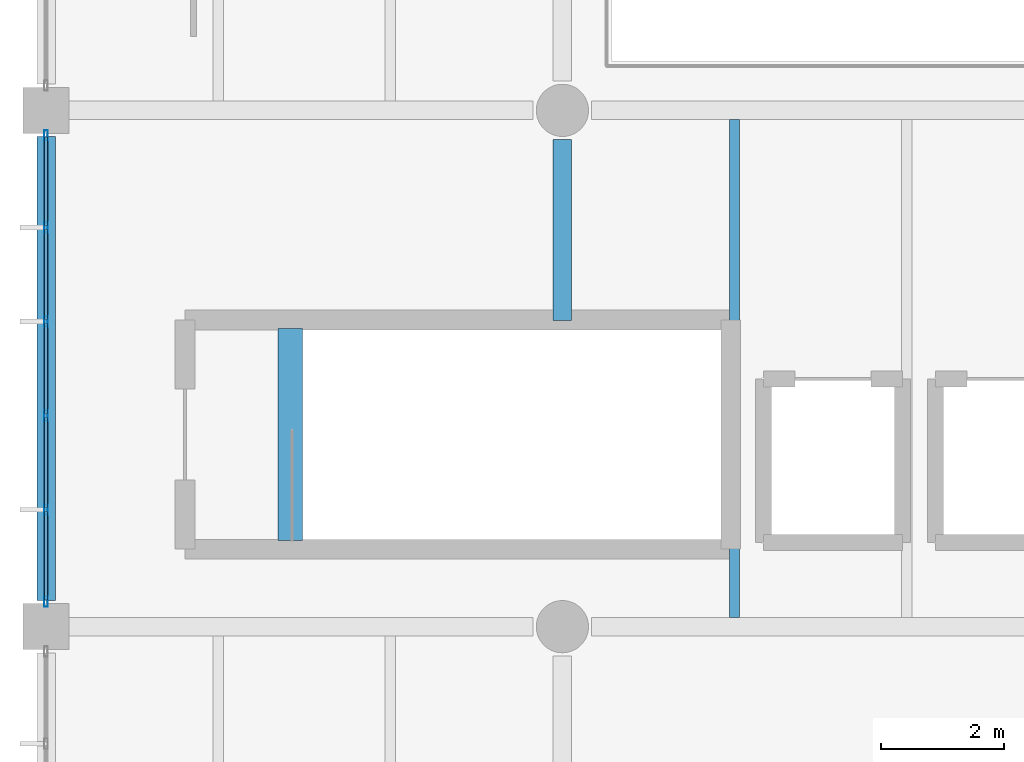
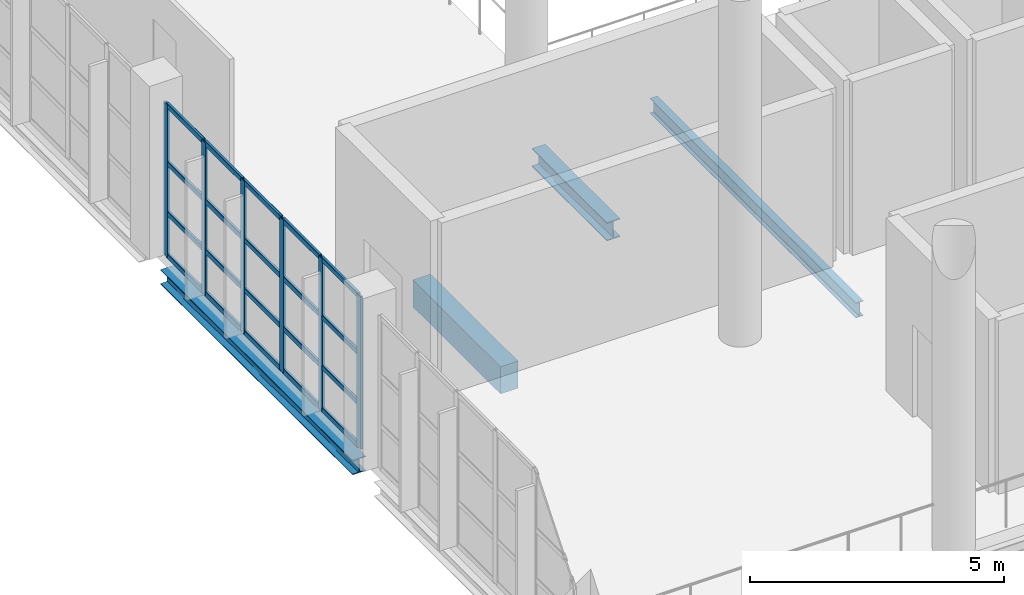
# One storey, part 29 of 177: 26 members, 4 beams, 1 element without a shape of its own.
"""IFC4 building model written with IfcOpenShell, lengths in metres."""

from ifc_helpers import new_model, si_unit, direction, frame, origin, origin_2d, place, context, subcontext, project, spatial, rectangle, hollow_rectangle, i_section, extrude, material, layer, layer_set, material_profile, profile_set, type_object, element, aggregate, save


model = new_model("IFC4")

# Units and contexts
model_context = context("Model", 3, precision=1e-05, world=origin(), true_north=direction((0.0, 1.0)))
body_context = subcontext(model_context, "Body", "Model", "MODEL_VIEW")
ifc_project = project(units=[si_unit("LENGTHUNIT", "METRE"), si_unit("AREAUNIT", "SQUARE_METRE"), si_unit("VOLUMEUNIT", "CUBIC_METRE"), si_unit("PLANEANGLEUNIT", "RADIAN"), si_unit("MASSUNIT", "GRAM", prefix="KILO"), si_unit("THERMODYNAMICTEMPERATUREUNIT", "KELVIN"), si_unit("POWERUNIT", "WATT")], contexts=[model_context])

# Site, building, storey
site_placement = place(None, origin())
site = spatial("IfcSite", under=ifc_project, at=site_placement, CompositionType="ELEMENT")
building_placement = place(site_placement, origin())
building = spatial("IfcBuilding", under=site, at=building_placement, Name="Mavoryth Pier Ferry Terminal", CompositionType="ELEMENT")
storey_placement = place(building_placement, frame((0.0, 0.0, 5.43994140625)))
storey = spatial("IfcBuildingStorey", under=building, at=storey_placement, Name="L01", CompositionType="ELEMENT", Elevation=5.43994140625)

# Beams
ifc_material_1 = material(Name="Steel S355J2", Category="steel")
ifc_material_profile_1 = material_profile(ifc_material_1, i_section(OverallWidth=0.300048828125, OverallDepth=0.43994140625, WebThickness=0.011474609375, FlangeThickness=0.02099609375, FilletRadius=0.027099609375, at=origin_2d()), Name="HEA 450", Category="steel")
ifc_profile_set_1 = profile_set([ifc_material_profile_1], Name="Steel S355J2 - HEA 450")
beam_type_1 = type_object("IfcBeamType", Name="Beam-Steel-HEA450", PredefinedType="BEAM", material=ifc_profile_set_1)
beam_1_placement = place(storey_placement, frame((8.39990234375, 60.580078125, -0.5), z_axis=(0.0, 1.0, 0.0), x_axis=(-1.0, 0.0, 0.0)))
element("IfcBeam", 1, at=beam_1_placement, inside=storey, type_object=beam_type_1, Name="Beam B01-SB03-0086", PredefinedType="BEAM", context=body_context, shape_type="SweptSolid", body=[
    extrude(i_section(OverallWidth=0.300048828125, OverallDepth=0.43994140625, WebThickness=0.011474609375, FlangeThickness=0.02099609375, FilletRadius=0.027099609375, at=origin_2d()), origin(), (0.0, 0.0, 1.0), 2.94482421875),
])
ifc_material_2 = material(Name="Concrete C35/45", Category="concrete")
ifc_material_profile_2 = material_profile(ifc_material_2, rectangle(XDim=0.39990234375, YDim=0.64990234375, at=origin_2d()), Name="RC 400x650", Category="concrete")
ifc_profile_set_2 = profile_set([ifc_material_profile_2], Name="Concrete C35/45 - RC 400x650")
beam_type_2 = type_object("IfcBeamType", Name="Girder-RC-400x650", PredefinedType="BEAM", material=ifc_profile_set_2)
beam_2_placement = place(storey_placement, frame((3.969970703125, 57.0, -0.324951171875), z_axis=(0.0, 1.0, 0.0), x_axis=(-1.0, 0.0, 0.0)))
element("IfcBeam", 2, at=beam_2_placement, inside=storey, type_object=beam_type_2, Name="Beam B01-BG05-1566", PredefinedType="BEAM", context=body_context, shape_type="SweptSolid", body=[
    extrude(rectangle(XDim=0.39990234375, YDim=0.64990234375, at=origin_2d()), origin(), (0.0, 0.0, 1.0), 3.449951171875),
])
ifc_material_profile_3 = material_profile(ifc_material_1, i_section(OverallWidth=0.169921875, OverallDepth=0.360107421875, WebThickness=0.008056640625, FlangeThickness=0.0126953125, FilletRadius=0.01806640625, at=origin_2d()), Name="IPE 360", Category="steel")
ifc_profile_set_3 = profile_set([ifc_material_profile_3], Name="Steel S355J2 - IPE 360")
beam_type_3 = type_object("IfcBeamType", Name="Joist-Steel-IPE360", PredefinedType="JOIST", material=ifc_profile_set_3)
beam_3_placement = place(storey_placement, frame((11.199951171875, 55.75, -0.4599609375), z_axis=(0.0, 1.0, 0.0), x_axis=(-1.0, 0.0, 0.0)))
element("IfcBeam", 3, at=beam_3_placement, inside=storey, type_object=beam_type_3, Name="Beam B01-SJ02-0121", PredefinedType="JOIST", context=body_context, shape_type="SweptSolid", body=[
    extrude(i_section(OverallWidth=0.169921875, OverallDepth=0.360107421875, WebThickness=0.008056640625, FlangeThickness=0.0126953125, FilletRadius=0.01806640625, at=origin_2d()), origin(), (0.0, 0.0, 1.0), 8.10009765625),
])

# Curtain wall, members
ifc_material_3 = material(Name="Anodised Aluminium and Solar-Control Low-E Glass", Category="aluminium")
ifc_layer = layer(ifc_material_3, 0.179931640625, Name="Anodised Aluminium and Solar-Control Low-E Glass", Category="aluminium")
ifc_layer_set = layer_set([ifc_layer], Name="Anodised Aluminium and Solar-Control Low-E Glass - CW-Concourse-Mod1400")
curtain_wall_type = type_object("IfcCurtainWallType", Name="CW-Concourse-Mod1400", PredefinedType="USERDEFINED", material=ifc_layer_set)
curtain_wall_placement = place(storey_placement, origin())
curtain_wall = element("IfcCurtainWall", 4, at=curtain_wall_placement, inside=storey, type_object=curtain_wall_type, Name="Curtain Wall CW-0122-011", ObjectType="UNITISED CURTAIN WALL", PredefinedType="USERDEFINED")
ifc_material_4 = material(Name="Anodised Aluminium EN AW-6063", Category="aluminium")
ifc_material_profile_4 = material_profile(ifc_material_4, hollow_rectangle(XDim=0.06005859375, YDim=0.1650390625, WallThickness=0.00390625, InnerFilletRadius=0.00390625, OuterFilletRadius=0.008056640625, at=origin_2d()), Name="AL-MULL 165x60x4", Category="aluminium")
ifc_profile_set_4 = profile_set([ifc_material_profile_4], Name="Anodised Aluminium EN AW-6063 - AL-MULL 165x60x4")
member_type_1 = type_object("IfcMemberType", Name="Mullion-Alum-165x60", PredefinedType="MULLION", material=ifc_profile_set_4)
member_1_placement = place(storey_placement, frame((0.0, 63.594970703125, 0.0), z_axis=(0.0, 0.0, 1.0), x_axis=(1.0, 0.0, 0.0)))
member_1 = element("IfcMember", 5, at=member_1_placement, type_object=member_type_1, Name="CW01 mullion 1", PredefinedType="MULLION", context=body_context, shape_type="SweptSolid", body=[
    extrude(hollow_rectangle(XDim=0.06005859375, YDim=0.1650390625, WallThickness=0.00390625, InnerFilletRadius=0.00390625, OuterFilletRadius=0.008056640625, at=origin_2d()), origin(), (0.0, 0.0, 1.0), 3.66015625),
])
member_2_placement = place(storey_placement, frame((0.0, 62.094970703125, 0.0), z_axis=(0.0, 0.0, 1.0), x_axis=(1.0, 0.0, 0.0)))
member_2 = element("IfcMember", 6, at=member_2_placement, type_object=member_type_1, Name="CW01 mullion 2", PredefinedType="MULLION", context=body_context, shape_type="SweptSolid", body=[
    extrude(hollow_rectangle(XDim=0.06005859375, YDim=0.1650390625, WallThickness=0.00390625, InnerFilletRadius=0.00390625, OuterFilletRadius=0.008056640625, at=origin_2d()), origin(), (0.0, 0.0, 1.0), 3.66015625),
])
member_3_placement = place(storey_placement, frame((0.0, 60.56494140625, 0.0), z_axis=(0.0, 0.0, 1.0), x_axis=(1.0, 0.0, 0.0)))
member_3 = element("IfcMember", 7, at=member_3_placement, type_object=member_type_1, Name="CW01 mullion 3", PredefinedType="MULLION", context=body_context, shape_type="SweptSolid", body=[
    extrude(hollow_rectangle(XDim=0.06005859375, YDim=0.1650390625, WallThickness=0.00390625, InnerFilletRadius=0.00390625, OuterFilletRadius=0.008056640625, at=origin_2d()), origin(), (0.0, 0.0, 1.0), 3.66015625),
])
member_4_placement = place(storey_placement, frame((0.0, 59.034912109375, 0.0), z_axis=(0.0, 0.0, 1.0), x_axis=(1.0, 0.0, 0.0)))
member_4 = element("IfcMember", 8, at=member_4_placement, type_object=member_type_1, Name="CW01 mullion 4", PredefinedType="MULLION", context=body_context, shape_type="SweptSolid", body=[
    extrude(hollow_rectangle(XDim=0.06005859375, YDim=0.1650390625, WallThickness=0.00390625, InnerFilletRadius=0.00390625, OuterFilletRadius=0.008056640625, at=origin_2d()), origin(), (0.0, 0.0, 1.0), 3.66015625),
])
member_5_placement = place(storey_placement, frame((0.0, 57.5048828125, 0.0), z_axis=(0.0, 0.0, 1.0), x_axis=(1.0, 0.0, 0.0)))
member_5 = element("IfcMember", 9, at=member_5_placement, type_object=member_type_1, Name="CW01 mullion 5", PredefinedType="MULLION", context=body_context, shape_type="SweptSolid", body=[
    extrude(hollow_rectangle(XDim=0.06005859375, YDim=0.1650390625, WallThickness=0.00390625, InnerFilletRadius=0.00390625, OuterFilletRadius=0.008056640625, at=origin_2d()), origin(), (0.0, 0.0, 1.0), 3.66015625),
])
member_6_placement = place(storey_placement, frame((0.0, 56.0048828125, 0.0), z_axis=(0.0, 0.0, 1.0), x_axis=(1.0, 0.0, 0.0)))
member_6 = element("IfcMember", 10, at=member_6_placement, type_object=member_type_1, Name="CW01 mullion 6", PredefinedType="MULLION", context=body_context, shape_type="SweptSolid", body=[
    extrude(hollow_rectangle(XDim=0.06005859375, YDim=0.1650390625, WallThickness=0.00390625, InnerFilletRadius=0.00390625, OuterFilletRadius=0.008056640625, at=origin_2d()), origin(), (0.0, 0.0, 1.0), 3.66015625),
])

# Beam
ifc_material_profile_5 = material_profile(ifc_material_1, i_section(OverallWidth=0.300048828125, OverallDepth=0.35009765625, WebThickness=0.010009765625, FlangeThickness=0.017578125, FilletRadius=0.027099609375, at=origin_2d()), Name="HEA 360", Category="steel")
ifc_profile_set_5 = profile_set([ifc_material_profile_5], Name="Steel S355J2 - HEA 360")
beam_type_4 = type_object("IfcBeamType", Name="Spandrel-Steel-HEA360", PredefinedType="SPANDREL", material=ifc_profile_set_5)
beam_4_placement = place(storey_placement, frame((0.0, 56.02490234375, -0.454833984375), z_axis=(0.0, 1.0, 0.0), x_axis=(-1.0, 0.0, 0.0)))
element("IfcBeam", 11, at=beam_4_placement, inside=storey, type_object=beam_type_4, Name="Beam B01-SP03-0079", PredefinedType="SPANDREL", context=body_context, shape_type="SweptSolid", body=[
    extrude(i_section(OverallWidth=0.300048828125, OverallDepth=0.35009765625, WebThickness=0.010009765625, FlangeThickness=0.017578125, FilletRadius=0.027099609375, at=origin_2d()), origin(), (0.0, 0.0, 1.0), 7.550048828125),
])

# Member
ifc_material_profile_6 = material_profile(ifc_material_4, hollow_rectangle(XDim=0.06005859375, YDim=0.125, WallThickness=0.00390625, InnerFilletRadius=0.00390625, OuterFilletRadius=0.008056640625, at=origin_2d()), Name="AL-TRAN 125x60x4", Category="aluminium")
ifc_profile_set_6 = profile_set([ifc_material_profile_6], Name="Anodised Aluminium EN AW-6063 - AL-TRAN 125x60x4")
member_type_2 = type_object("IfcMemberType", Name="Transom-Alum-125x60", PredefinedType="USERDEFINED", material=ifc_profile_set_6)
member_7_placement = place(storey_placement, frame((0.0, 63.56494140625, 0.030029296875), z_axis=(0.0, -1.0, 0.0), x_axis=(1.0, 0.0, 0.0)))
member_7 = element("IfcMember", 12, at=member_7_placement, type_object=member_type_2, Name="CW01 transom 1.1", ObjectType="TRANSOM", PredefinedType="USERDEFINED", context=body_context, shape_type="SweptSolid", body=[
    extrude(hollow_rectangle(XDim=0.06005859375, YDim=0.125, WallThickness=0.00390625, InnerFilletRadius=0.00390625, OuterFilletRadius=0.008056640625, at=origin_2d()), origin(), (0.0, 0.0, 1.0), 1.43994140625),
])

member_8_placement = place(storey_placement, frame((0.0, 63.56494140625, 1.050048828125), z_axis=(0.0, -1.0, 0.0), x_axis=(1.0, 0.0, 0.0)))
member_8 = element("IfcMember", 13, at=member_8_placement, type_object=member_type_2, Name="CW01 transom 1.2", ObjectType="TRANSOM", PredefinedType="USERDEFINED", context=body_context, shape_type="SweptSolid", body=[
    extrude(hollow_rectangle(XDim=0.06005859375, YDim=0.125, WallThickness=0.00390625, InnerFilletRadius=0.00390625, OuterFilletRadius=0.008056640625, at=origin_2d()), origin(), (0.0, 0.0, 1.0), 1.43994140625),
])

member_9_placement = place(storey_placement, frame((0.0, 63.56494140625, 2.25), z_axis=(0.0, -1.0, 0.0), x_axis=(1.0, 0.0, 0.0)))
member_9 = element("IfcMember", 14, at=member_9_placement, type_object=member_type_2, Name="CW01 transom 1.3", ObjectType="TRANSOM", PredefinedType="USERDEFINED", context=body_context, shape_type="SweptSolid", body=[
    extrude(hollow_rectangle(XDim=0.06005859375, YDim=0.125, WallThickness=0.00390625, InnerFilletRadius=0.00390625, OuterFilletRadius=0.008056640625, at=origin_2d()), origin(), (0.0, 0.0, 1.0), 1.43994140625),
])

member_10_placement = place(storey_placement, frame((0.0, 63.56494140625, 3.630126953125), z_axis=(0.0, -1.0, 0.0), x_axis=(1.0, 0.0, 0.0)))
member_10 = element("IfcMember", 15, at=member_10_placement, type_object=member_type_2, Name="CW01 transom 1.4", ObjectType="TRANSOM", PredefinedType="USERDEFINED", context=body_context, shape_type="SweptSolid", body=[
    extrude(hollow_rectangle(XDim=0.06005859375, YDim=0.125, WallThickness=0.00390625, InnerFilletRadius=0.00390625, OuterFilletRadius=0.008056640625, at=origin_2d()), origin(), (0.0, 0.0, 1.0), 1.43994140625),
])

member_11_placement = place(storey_placement, frame((0.0, 62.06494140625, 0.030029296875), z_axis=(0.0, -1.0, 0.0), x_axis=(1.0, 0.0, 0.0)))
member_11 = element("IfcMember", 16, at=member_11_placement, type_object=member_type_2, Name="CW01 transom 2.1", ObjectType="TRANSOM", PredefinedType="USERDEFINED", context=body_context, shape_type="SweptSolid", body=[
    extrude(hollow_rectangle(XDim=0.06005859375, YDim=0.125, WallThickness=0.00390625, InnerFilletRadius=0.00390625, OuterFilletRadius=0.008056640625, at=origin_2d()), origin(), (0.0, 0.0, 1.0), 1.469970703125),
])

member_12_placement = place(storey_placement, frame((0.0, 62.06494140625, 1.050048828125), z_axis=(0.0, -1.0, 0.0), x_axis=(1.0, 0.0, 0.0)))
member_12 = element("IfcMember", 17, at=member_12_placement, type_object=member_type_2, Name="CW01 transom 2.2", ObjectType="TRANSOM", PredefinedType="USERDEFINED", context=body_context, shape_type="SweptSolid", body=[
    extrude(hollow_rectangle(XDim=0.06005859375, YDim=0.125, WallThickness=0.00390625, InnerFilletRadius=0.00390625, OuterFilletRadius=0.008056640625, at=origin_2d()), origin(), (0.0, 0.0, 1.0), 1.469970703125),
])

member_13_placement = place(storey_placement, frame((0.0, 62.06494140625, 2.25), z_axis=(0.0, -1.0, 0.0), x_axis=(1.0, 0.0, 0.0)))
member_13 = element("IfcMember", 18, at=member_13_placement, type_object=member_type_2, Name="CW01 transom 2.3", ObjectType="TRANSOM", PredefinedType="USERDEFINED", context=body_context, shape_type="SweptSolid", body=[
    extrude(hollow_rectangle(XDim=0.06005859375, YDim=0.125, WallThickness=0.00390625, InnerFilletRadius=0.00390625, OuterFilletRadius=0.008056640625, at=origin_2d()), origin(), (0.0, 0.0, 1.0), 1.469970703125),
])

member_14_placement = place(storey_placement, frame((0.0, 62.06494140625, 3.630126953125), z_axis=(0.0, -1.0, 0.0), x_axis=(1.0, 0.0, 0.0)))
member_14 = element("IfcMember", 19, at=member_14_placement, type_object=member_type_2, Name="CW01 transom 2.4", ObjectType="TRANSOM", PredefinedType="USERDEFINED", context=body_context, shape_type="SweptSolid", body=[
    extrude(hollow_rectangle(XDim=0.06005859375, YDim=0.125, WallThickness=0.00390625, InnerFilletRadius=0.00390625, OuterFilletRadius=0.008056640625, at=origin_2d()), origin(), (0.0, 0.0, 1.0), 1.469970703125),
])

member_15_placement = place(storey_placement, frame((0.0, 60.534912109375, 0.030029296875), z_axis=(0.0, -1.0, 0.0), x_axis=(1.0, 0.0, 0.0)))
member_15 = element("IfcMember", 20, at=member_15_placement, type_object=member_type_2, Name="CW01 transom 3.1", ObjectType="TRANSOM", PredefinedType="USERDEFINED", context=body_context, shape_type="SweptSolid", body=[
    extrude(hollow_rectangle(XDim=0.06005859375, YDim=0.125, WallThickness=0.00390625, InnerFilletRadius=0.00390625, OuterFilletRadius=0.008056640625, at=origin_2d()), origin(), (0.0, 0.0, 1.0), 1.469970703125),
])

member_16_placement = place(storey_placement, frame((0.0, 60.534912109375, 1.050048828125), z_axis=(0.0, -1.0, 0.0), x_axis=(1.0, 0.0, 0.0)))
member_16 = element("IfcMember", 21, at=member_16_placement, type_object=member_type_2, Name="CW01 transom 3.2", ObjectType="TRANSOM", PredefinedType="USERDEFINED", context=body_context, shape_type="SweptSolid", body=[
    extrude(hollow_rectangle(XDim=0.06005859375, YDim=0.125, WallThickness=0.00390625, InnerFilletRadius=0.00390625, OuterFilletRadius=0.008056640625, at=origin_2d()), origin(), (0.0, 0.0, 1.0), 1.469970703125),
])

member_17_placement = place(storey_placement, frame((0.0, 60.534912109375, 2.25), z_axis=(0.0, -1.0, 0.0), x_axis=(1.0, 0.0, 0.0)))
member_17 = element("IfcMember", 22, at=member_17_placement, type_object=member_type_2, Name="CW01 transom 3.3", ObjectType="TRANSOM", PredefinedType="USERDEFINED", context=body_context, shape_type="SweptSolid", body=[
    extrude(hollow_rectangle(XDim=0.06005859375, YDim=0.125, WallThickness=0.00390625, InnerFilletRadius=0.00390625, OuterFilletRadius=0.008056640625, at=origin_2d()), origin(), (0.0, 0.0, 1.0), 1.469970703125),
])

member_18_placement = place(storey_placement, frame((0.0, 60.534912109375, 3.630126953125), z_axis=(0.0, -1.0, 0.0), x_axis=(1.0, 0.0, 0.0)))
member_18 = element("IfcMember", 23, at=member_18_placement, type_object=member_type_2, Name="CW01 transom 3.4", ObjectType="TRANSOM", PredefinedType="USERDEFINED", context=body_context, shape_type="SweptSolid", body=[
    extrude(hollow_rectangle(XDim=0.06005859375, YDim=0.125, WallThickness=0.00390625, InnerFilletRadius=0.00390625, OuterFilletRadius=0.008056640625, at=origin_2d()), origin(), (0.0, 0.0, 1.0), 1.469970703125),
])

member_19_placement = place(storey_placement, frame((0.0, 59.0048828125, 0.030029296875), z_axis=(0.0, -1.0, 0.0), x_axis=(1.0, 0.0, 0.0)))
member_19 = element("IfcMember", 24, at=member_19_placement, type_object=member_type_2, Name="CW01 transom 4.1", ObjectType="TRANSOM", PredefinedType="USERDEFINED", context=body_context, shape_type="SweptSolid", body=[
    extrude(hollow_rectangle(XDim=0.06005859375, YDim=0.125, WallThickness=0.00390625, InnerFilletRadius=0.00390625, OuterFilletRadius=0.008056640625, at=origin_2d()), origin(), (0.0, 0.0, 1.0), 1.469970703125),
])

member_20_placement = place(storey_placement, frame((0.0, 59.0048828125, 1.050048828125), z_axis=(0.0, -1.0, 0.0), x_axis=(1.0, 0.0, 0.0)))
member_20 = element("IfcMember", 25, at=member_20_placement, type_object=member_type_2, Name="CW01 transom 4.2", ObjectType="TRANSOM", PredefinedType="USERDEFINED", context=body_context, shape_type="SweptSolid", body=[
    extrude(hollow_rectangle(XDim=0.06005859375, YDim=0.125, WallThickness=0.00390625, InnerFilletRadius=0.00390625, OuterFilletRadius=0.008056640625, at=origin_2d()), origin(), (0.0, 0.0, 1.0), 1.469970703125),
])

member_21_placement = place(storey_placement, frame((0.0, 59.0048828125, 2.25), z_axis=(0.0, -1.0, 0.0), x_axis=(1.0, 0.0, 0.0)))
member_21 = element("IfcMember", 26, at=member_21_placement, type_object=member_type_2, Name="CW01 transom 4.3", ObjectType="TRANSOM", PredefinedType="USERDEFINED", context=body_context, shape_type="SweptSolid", body=[
    extrude(hollow_rectangle(XDim=0.06005859375, YDim=0.125, WallThickness=0.00390625, InnerFilletRadius=0.00390625, OuterFilletRadius=0.008056640625, at=origin_2d()), origin(), (0.0, 0.0, 1.0), 1.469970703125),
])

member_22_placement = place(storey_placement, frame((0.0, 59.0048828125, 3.630126953125), z_axis=(0.0, -1.0, 0.0), x_axis=(1.0, 0.0, 0.0)))
member_22 = element("IfcMember", 27, at=member_22_placement, type_object=member_type_2, Name="CW01 transom 4.4", ObjectType="TRANSOM", PredefinedType="USERDEFINED", context=body_context, shape_type="SweptSolid", body=[
    extrude(hollow_rectangle(XDim=0.06005859375, YDim=0.125, WallThickness=0.00390625, InnerFilletRadius=0.00390625, OuterFilletRadius=0.008056640625, at=origin_2d()), origin(), (0.0, 0.0, 1.0), 1.469970703125),
])

member_23_placement = place(storey_placement, frame((0.0, 57.47509765625, 0.030029296875), z_axis=(0.0, -1.0, 0.0), x_axis=(1.0, 0.0, 0.0)))
member_23 = element("IfcMember", 28, at=member_23_placement, type_object=member_type_2, Name="CW01 transom 5.1", ObjectType="TRANSOM", PredefinedType="USERDEFINED", context=body_context, shape_type="SweptSolid", body=[
    extrude(hollow_rectangle(XDim=0.06005859375, YDim=0.125, WallThickness=0.00390625, InnerFilletRadius=0.00390625, OuterFilletRadius=0.008056640625, at=origin_2d()), origin(), (0.0, 0.0, 1.0), 1.440185546875),
])

member_24_placement = place(storey_placement, frame((0.0, 57.47509765625, 1.050048828125), z_axis=(0.0, -1.0, 0.0), x_axis=(1.0, 0.0, 0.0)))
member_24 = element("IfcMember", 29, at=member_24_placement, type_object=member_type_2, Name="CW01 transom 5.2", ObjectType="TRANSOM", PredefinedType="USERDEFINED", context=body_context, shape_type="SweptSolid", body=[
    extrude(hollow_rectangle(XDim=0.06005859375, YDim=0.125, WallThickness=0.00390625, InnerFilletRadius=0.00390625, OuterFilletRadius=0.008056640625, at=origin_2d()), origin(), (0.0, 0.0, 1.0), 1.440185546875),
])

member_25_placement = place(storey_placement, frame((0.0, 57.47509765625, 2.25), z_axis=(0.0, -1.0, 0.0), x_axis=(1.0, 0.0, 0.0)))
member_25 = element("IfcMember", 30, at=member_25_placement, type_object=member_type_2, Name="CW01 transom 5.3", ObjectType="TRANSOM", PredefinedType="USERDEFINED", context=body_context, shape_type="SweptSolid", body=[
    extrude(hollow_rectangle(XDim=0.06005859375, YDim=0.125, WallThickness=0.00390625, InnerFilletRadius=0.00390625, OuterFilletRadius=0.008056640625, at=origin_2d()), origin(), (0.0, 0.0, 1.0), 1.440185546875),
])

member_26_placement = place(storey_placement, frame((0.0, 57.47509765625, 3.630126953125), z_axis=(0.0, -1.0, 0.0), x_axis=(1.0, 0.0, 0.0)))
member_26 = element("IfcMember", 31, at=member_26_placement, type_object=member_type_2, Name="CW01 transom 5.4", ObjectType="TRANSOM", PredefinedType="USERDEFINED", context=body_context, shape_type="SweptSolid", body=[
    extrude(hollow_rectangle(XDim=0.06005859375, YDim=0.125, WallThickness=0.00390625, InnerFilletRadius=0.00390625, OuterFilletRadius=0.008056640625, at=origin_2d()), origin(), (0.0, 0.0, 1.0), 1.440185546875),
])

aggregate(curtain_wall, [member_1, member_2, member_3, member_4, member_5, member_6, member_7, member_8, member_9, member_10, member_11, member_12, member_13, member_14, member_15, member_16, member_17, member_18, member_19, member_20, member_21, member_22, member_23, member_24, member_25, member_26])

save(model, "model.ifc")
